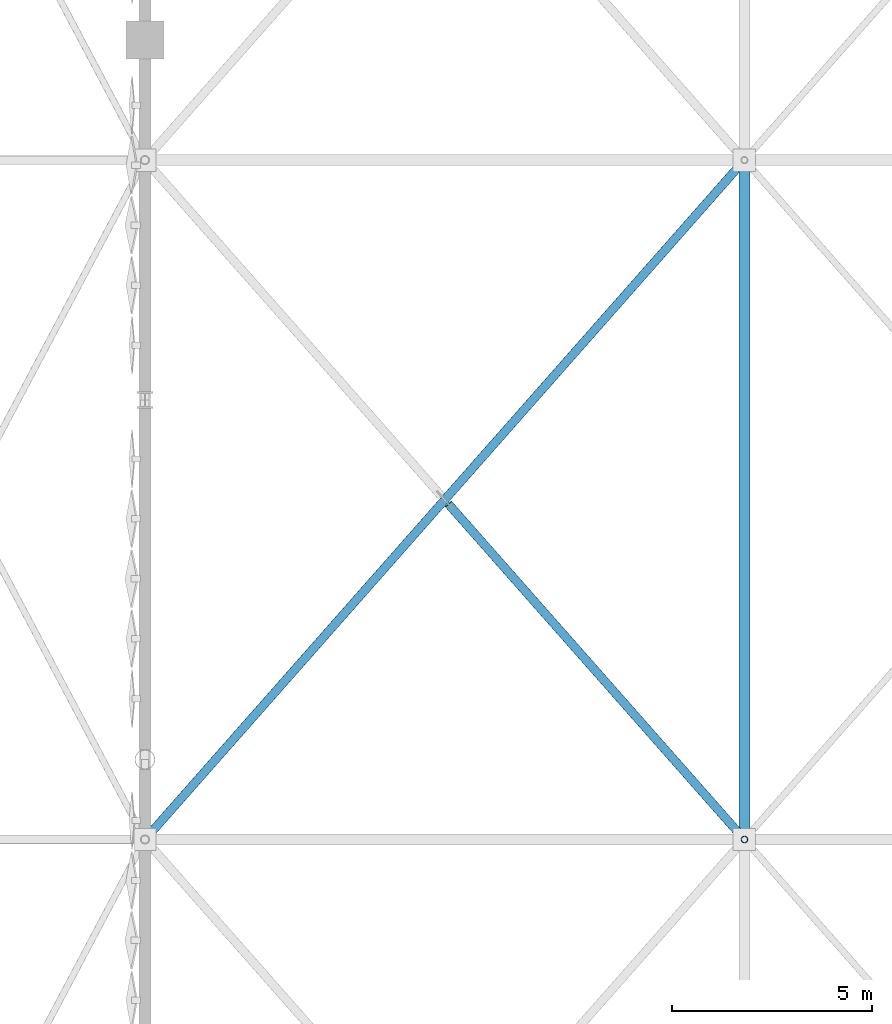
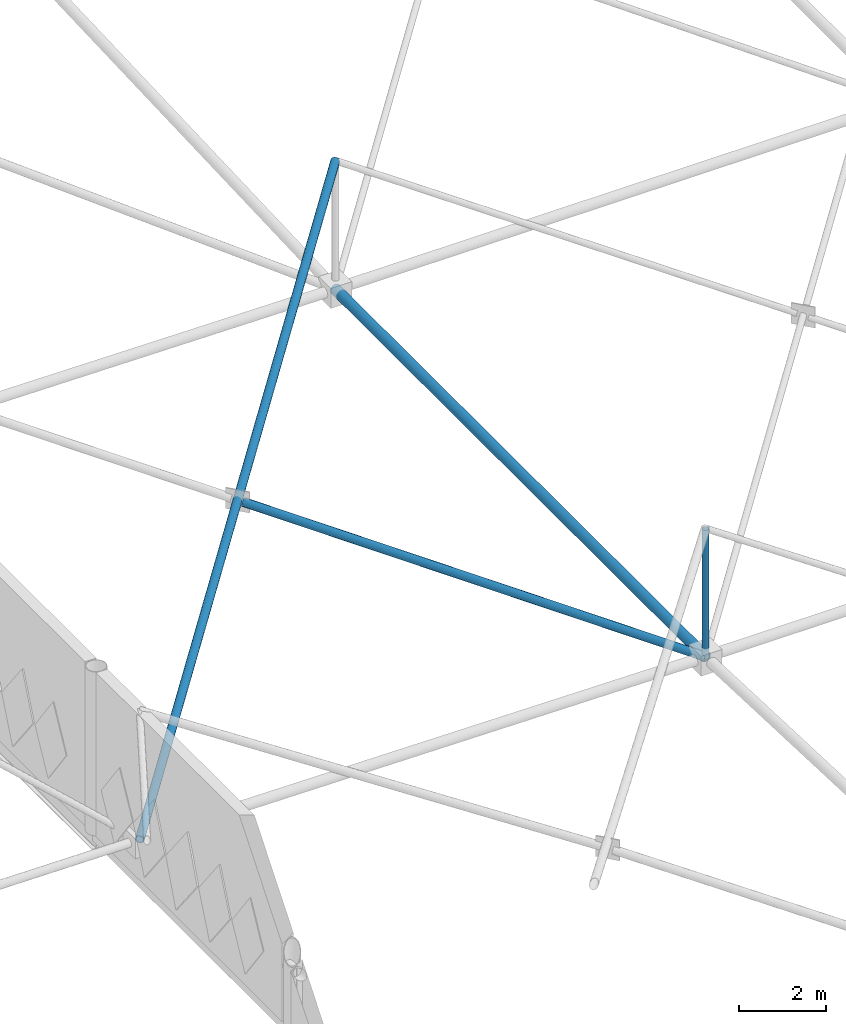
# One storey, part 35 of 224: 4 members.
"""IFC4 building model written with IfcOpenShell, lengths in metres."""

import ifcopenshell
import ifcopenshell.guid

model = None  # the IFC model being written
_history = None  # IfcOwnerHistory: only IFC2X3 demands one
_inside = {}  # id of a spatial element -> (the spatial element, [elements in it])
_under = {}  # id of a project, library or spatial element -> (it, [spatial elements below it])
_declared = {}  # id of a project -> (the project, [libraries it declares])
_typed = {}  # id of a type object -> (the type object, [elements of that type])
_made_of = {}  # id of a material, layer set ... -> (it, [elements and type objects made of it])


def new_model(schema):
    """Start an empty IFC model of exactly this schema.

    Asked for "IFC4X3", IfcOpenShell would pick the latest addendum, in which some entities
    have other attributes; the version numbers below select the first issue.
    IFC2X3 requires an IfcOwnerHistory on every rooted entity: one is made here for all.
    """
    global model, _history
    if schema == "IFC4X3":
        model = ifcopenshell.file(schema_version=(4, 3, 0, 0))
    else:
        model = ifcopenshell.file(schema=schema)
    _inside.clear()
    _under.clear()
    _declared.clear()
    _typed.clear()
    _made_of.clear()
    _history = None
    if model.schema == "IFC2X3":
        org = make("IfcOrganization", Name="unknown")
        user = make(
            "IfcPersonAndOrganization",
            ThePerson=make("IfcPerson", FamilyName="unknown"),
            TheOrganization=org,
        )
        app = make(
            "IfcApplication",
            ApplicationDeveloper=org,
            Version="unknown",
            ApplicationFullName="unknown",
            ApplicationIdentifier="unknown",
        )
        _history = make(
            "IfcOwnerHistory",
            OwningUser=user,
            OwningApplication=app,
            ChangeAction="ADDED",
            CreationDate=0,
        )
    return model


def make(cls, **values):
    """One entity of the class cls with the attributes given. An attribute that is None is left unset."""
    return model.create_entity(
        cls, **{name: value for name, value in values.items() if value is not None}
    )


def rooted(cls, **values):
    """An entity with a GlobalId (a new one), such as an element, a storey or a relation."""
    return make(cls, GlobalId=ifcopenshell.guid.new(), OwnerHistory=_history, **values)


def si_unit(unit_type, name, prefix=None):
    """IfcSIUnit, for example si_unit("LENGTHUNIT", "METRE", prefix="MILLI")."""
    return make("IfcSIUnit", UnitType=unit_type, Prefix=prefix, Name=name)


def assignment(units):
    """IfcUnitAssignment: the units of a project."""
    return None if units is None else make("IfcUnitAssignment", Units=units)


def point(xyz):
    """IfcCartesianPoint."""
    return None if xyz is None else make("IfcCartesianPoint", Coordinates=xyz)


def direction(xyz):
    """IfcDirection."""
    return None if xyz is None else make("IfcDirection", DirectionRatios=xyz)


def frame(location, z_axis=None, x_axis=None):
    """IfcAxis2Placement3D, a coordinate frame: its origin and axes. An axis left out is left unset."""
    return make(
        "IfcAxis2Placement3D",
        Location=point(location),
        Axis=direction(z_axis),
        RefDirection=direction(x_axis),
    )


def frame_2d(location, x_axis=None):
    """IfcAxis2Placement2D, a coordinate frame in the plane: its origin and x axis."""
    return make(
        "IfcAxis2Placement2D", Location=point(location), RefDirection=direction(x_axis)
    )


def origin():
    """The frame at (0, 0, 0) with its axes left unset."""
    return frame((0.0, 0.0, 0.0))


def origin_2d():
    """The frame at (0, 0) in the plane with its x axis left unset."""
    return frame_2d((0.0, 0.0))


def place(relative_to, where):
    """IfcLocalPlacement: puts the frame where relative to a parent placement (None: the world)."""
    return make(
        "IfcLocalPlacement", PlacementRelTo=relative_to, RelativePlacement=where
    )


def context(
    kind, dimensions, precision=None, world=None, true_north=None, identifier=None
):
    """IfcGeometricRepresentationContext, for example the 3D "Model" context."""
    return make(
        "IfcGeometricRepresentationContext",
        ContextIdentifier=identifier,
        ContextType=kind,
        CoordinateSpaceDimension=dimensions,
        Precision=precision,
        WorldCoordinateSystem=world,
        TrueNorth=true_north,
    )


def subcontext(parent, identifier, kind, view, scale=None):
    """IfcGeometricRepresentationSubContext, for example "Body" below "Model"."""
    return make(
        "IfcGeometricRepresentationSubContext",
        ContextIdentifier=identifier,
        ContextType=kind,
        ParentContext=parent,
        TargetScale=scale,
        TargetView=view,
    )


def project(units=None, contexts=None):
    """IfcProject with its units and contexts."""
    return rooted(
        "IfcProject",
        Name="project",
        RepresentationContexts=contexts,
        UnitsInContext=assignment(units),
    )


def spatial(cls, under=None, at=None, **own):
    """A site, building, storey or space (cls), placed at a placement, below another one or the project."""
    s = rooted(cls, ObjectPlacement=at, **own)
    if under is not None:
        _under.setdefault(under.id(), (under, []))[1].append(s)
    return s


def profile(cls, at=None, kind="AREA", **sizes):
    """A parametric profile (cls). Its sizes go by their IFC names, for example OverallWidth=200.0."""
    return make(cls, ProfileType=kind, Position=at, **sizes)


def hollow_circle(**sizes):
    """IfcCircleHollowProfileDef."""
    return profile("IfcCircleHollowProfileDef", **sizes)


def extrude(swept, where, along, depth):
    """IfcExtrudedAreaSolid: the profile swept, set in the frame where, extruded along a direction by depth."""
    return make(
        "IfcExtrudedAreaSolid",
        SweptArea=swept,
        Position=where,
        ExtrudedDirection=direction(along),
        Depth=depth,
    )


def shape(context_of_items, identifier, shape_type, items):
    """IfcShapeRepresentation: the items that make up one representation, for example the "Body"."""
    return make(
        "IfcShapeRepresentation",
        ContextOfItems=context_of_items,
        RepresentationIdentifier=identifier,
        RepresentationType=shape_type,
        Items=items,
    )


def material(Name=None, Category=None):
    """IfcMaterial."""
    return make("IfcMaterial", Name=Name, Category=Category)


def material_profile(
    of_material, cross_section, Name=None, Category=None, Priority=None
):
    """IfcMaterialProfile: a cross section and its material."""
    return make(
        "IfcMaterialProfile",
        Name=Name,
        Material=of_material,
        Profile=cross_section,
        Priority=Priority,
        Category=Category,
    )


def profile_set(profiles, Name=None, composite=None):
    """IfcMaterialProfileSet."""
    return make(
        "IfcMaterialProfileSet",
        Name=Name,
        MaterialProfiles=profiles,
        CompositeProfile=composite,
    )


def made_of(thing, what):
    """Note that an element or type object is made of a material, layer set ...; save() writes the relation."""
    if what is not None:
        _made_of.setdefault(what.id(), (what, []))[1].append(thing)
    return thing


def type_object(cls, material=None, **own):
    """A type object (cls), such as IfcWallType, which elements share."""
    return made_of(rooted(cls, **own), material)


def element(
    cls,
    number,
    at=None,
    inside=None,
    cuts=None,
    type_object=None,
    material=None,
    context=None,
    identifier="Body",
    shape_type=None,
    held_by="IfcProductDefinitionShape",
    body=None,
    shapes=None,
    **own,
):
    """One element of the class cls, such as IfcWall. Its Tag is "e" and its number.

    at: its placement. inside: the storey or other place that contains it. cuts: it is an
    opening in that element (IfcRelVoidsElement). A single representation is given by context,
    identifier, shape_type and body (its items); several are given by shapes. held_by: the class
    of the entity that holds the representations. save() writes the other relations.
    """
    e = rooted(cls, Tag="e%d" % number, ObjectPlacement=at, **own)
    if body is not None:
        shapes = [shape(context, identifier, shape_type, body)]
    if shapes is not None:
        e.Representation = make(held_by, Representations=shapes)
    if inside is not None:
        _inside.setdefault(inside.id(), (inside, []))[1].append(e)
    if cuts is not None:
        rooted(
            "IfcRelVoidsElement", RelatingBuildingElement=cuts, RelatedOpeningElement=e
        )
    if type_object is not None:
        _typed.setdefault(type_object.id(), (type_object, []))[1].append(e)
    return made_of(e, material)


def aggregate(whole, parts):
    """IfcRelAggregates: a whole, such as a stair, and the parts it consists of."""
    return rooted("IfcRelAggregates", RelatingObject=whole, RelatedObjects=parts)


def save(model, path):
    """Write the relations noted so far, then the file.

    IfcRelAggregates (storeys below a building ...), IfcRelContainedInSpatialStructure (elements
    in a storey), IfcRelDefinesByType, IfcRelAssociatesMaterial and IfcRelDeclares: one each for
    every whole, place, type object, material and project.
    """
    for whole, parts in _under.values():
        aggregate(whole, parts)
    for where, things in _inside.values():
        rooted(
            "IfcRelContainedInSpatialStructure",
            RelatedElements=things,
            RelatingStructure=where,
        )
    for kind, things in _typed.values():
        rooted("IfcRelDefinesByType", RelatedObjects=things, RelatingType=kind)
    for what, things in _made_of.values():
        rooted("IfcRelAssociatesMaterial", RelatedObjects=things, RelatingMaterial=what)
    for by, libraries in _declared.values():
        rooted("IfcRelDeclares", RelatingContext=by, RelatedDefinitions=libraries)
    model.write(path)


model = new_model("IFC4")

# Units and contexts
model_context = context("Model", 3, precision=1e-05, world=origin(), true_north=direction((0.0, 1.0)))
body_context = subcontext(model_context, "Body", "Model", "MODEL_VIEW")
ifc_project = project(units=[si_unit("LENGTHUNIT", "METRE"), si_unit("AREAUNIT", "SQUARE_METRE"), si_unit("VOLUMEUNIT", "CUBIC_METRE"), si_unit("PLANEANGLEUNIT", "RADIAN"), si_unit("MASSUNIT", "GRAM", prefix="KILO")], contexts=[model_context])

# Site, building, storey
site_placement = place(None, origin())
site = spatial("IfcSite", under=ifc_project, at=site_placement, CompositionType="ELEMENT")
building_placement = place(site_placement, origin())
building = spatial("IfcBuilding", under=site, at=building_placement, Name="Qamarlyn Nura Convention Centre", CompositionType="ELEMENT")
storey_placement = place(building_placement, frame((0.0, 0.0, 10.800048828125)))
storey = spatial("IfcBuildingStorey", under=building, at=storey_placement, Name="L02", CompositionType="ELEMENT", Elevation=10.800048828125)

# Members
ifc_material = material(Name="Pearl-white PVDF steel ASTM A500 Grade C", Category="steel")
ifc_material_profile_1 = material_profile(ifc_material, hollow_circle(Radius=0.136474609375, WallThickness=0.012451171875, at=origin_2d()), Name="CHS273X12.5")
ifc_profile_set_1 = profile_set([ifc_material_profile_1], Name="Pearl-white PVDF steel ASTM A500 Grade C")
member_type_1 = type_object("IfcMemberType", Name="SF-BC-MAIN", PredefinedType="CHORD", material=ifc_profile_set_1)
member_1_placement = place(storey_placement, frame((15.0, 52.0, 0.80126953125), z_axis=(0.0, 1.0, 0.0), x_axis=(-1.0, 0.0, 0.0)))
element("IfcMember", 1, at=member_1_placement, inside=storey, type_object=member_type_1, Name="ROOF TRUSS space frame bottom chord Y3-4", PredefinedType="CHORD", context=body_context, shape_type="SweptSolid", body=[
    extrude(hollow_circle(Radius=0.136474609375, WallThickness=0.012451171875, at=origin_2d()), origin(), (0.0, 0.0, 1.0), 17.0),
])
ifc_material_profile_2 = material_profile(ifc_material, hollow_circle(Radius=0.109619140625, WallThickness=0.010009765625, at=origin_2d()), Name="CHS219.1X10")
ifc_profile_set_2 = profile_set([ifc_material_profile_2], Name="Pearl-white PVDF steel ASTM A500 Grade C")
member_type_2 = type_object("IfcMemberType", Name="SF-WEB-HVY", PredefinedType="BRACE", material=ifc_profile_set_2)
member_2_placement = place(storey_placement, frame((0.0, 52.0, 0.937255859375), z_axis=(0.654031038459, 0.74123517692, 0.151042421951), x_axis=(-0.749837855365, 0.661621637087, 0.0)))
element("IfcMember", 2, at=member_2_placement, inside=storey, type_object=member_type_2, Name="ROOF TRUSS space frame diagonal A 2-4", PredefinedType="BRACE", context=body_context, shape_type="SweptSolid", body=[
    extrude(hollow_circle(Radius=0.109619140625, WallThickness=0.010009765625, at=origin_2d()), origin(), (0.0, 0.0, 1.0), 22.9345703125),
])
member_3_placement = place(storey_placement, frame((15.0, 52.0, 0.80126953125), z_axis=(-0.652819152321, 0.739858837627, 0.162591681053), x_axis=(-0.749836582836, -0.661623079284, 0.0)))
element("IfcMember", 3, at=member_3_placement, inside=storey, type_object=member_type_2, Name="ROOF TRUSS space frame split diagonal B1 2-4", PredefinedType="BRACE", context=body_context, shape_type="SweptSolid", body=[
    extrude(hollow_circle(Radius=0.109619140625, WallThickness=0.010009765625, at=origin_2d()), origin(), (0.0, 0.0, 1.0), 11.348876953125),
])
ifc_material_profile_3 = material_profile(ifc_material, hollow_circle(Radius=0.084228515625, WallThickness=0.008056640625, at=origin_2d()), Name="CHS168.3X8")
ifc_profile_set_3 = profile_set([ifc_material_profile_3], Name="Pearl-white PVDF steel ASTM A500 Grade C")
member_type_3 = type_object("IfcMemberType", Name="SF-WEB-STD", PredefinedType="BRACE", material=ifc_profile_set_3)
member_4_placement = place(storey_placement, frame((15.0, 52.0, 0.80126953125), z_axis=(0.0, 0.0, 1.0), x_axis=(1.0, 0.0, 0.0)))
element("IfcMember", 4, at=member_4_placement, inside=storey, type_object=member_type_3, Name="ROOF TRUSS space frame vertical 3-4", PredefinedType="BRACE", context=body_context, shape_type="SweptSolid", body=[
    extrude(hollow_circle(Radius=0.084228515625, WallThickness=0.008056640625, at=origin_2d()), origin(), (0.0, 0.0, 1.0), 3.60009765625),
])

save(model, "model.ifc")
